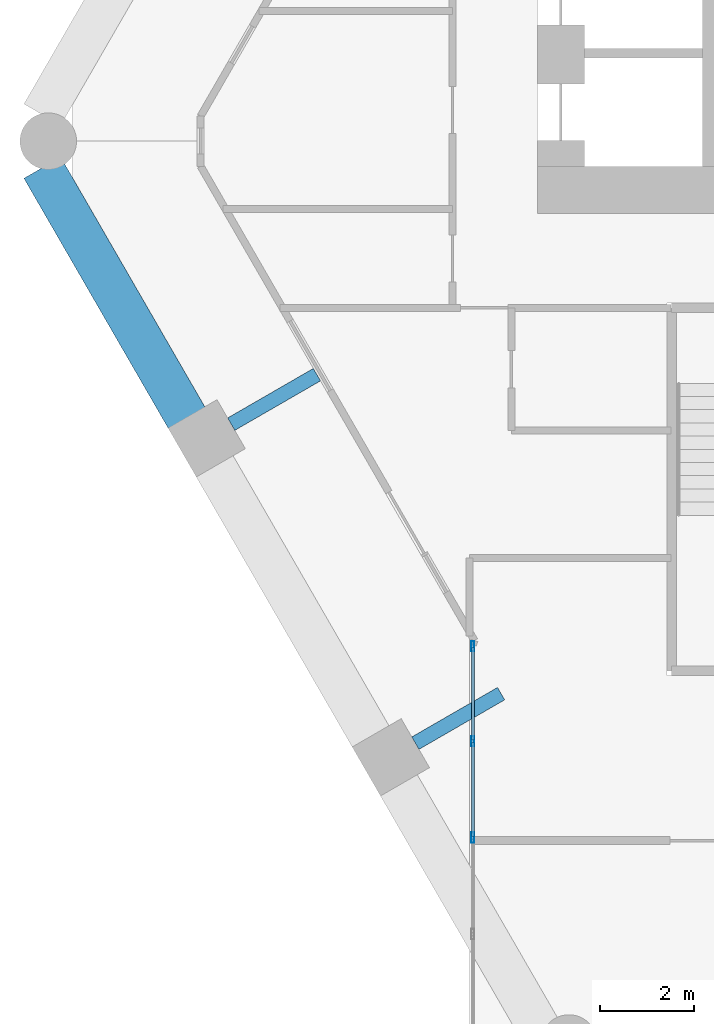
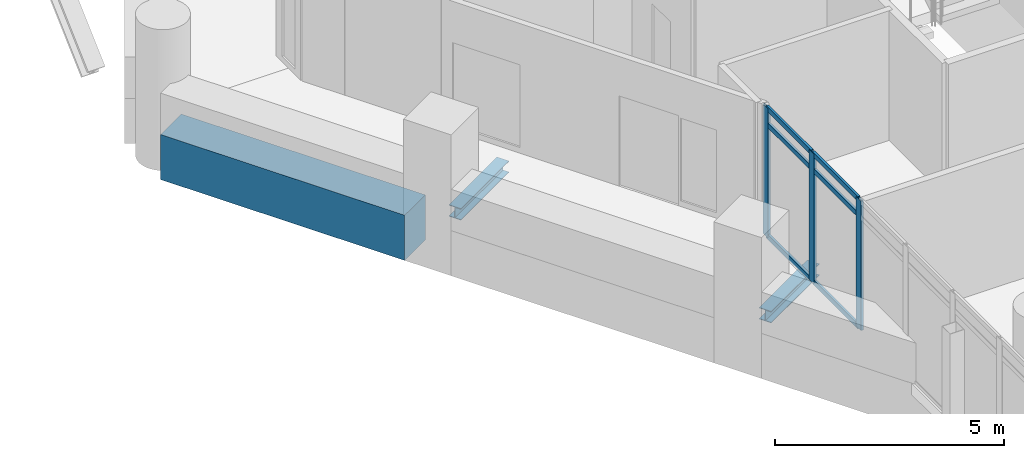
# One storey, part 11 of 37: 9 members, 3 beams, 1 element without a shape of its own.
"""IFC4 building model written with IfcOpenShell, lengths in metres."""

import ifcopenshell
import ifcopenshell.guid

model = None  # the IFC model being written
_history = None  # IfcOwnerHistory: only IFC2X3 demands one
_inside = {}  # id of a spatial element -> (the spatial element, [elements in it])
_under = {}  # id of a project, library or spatial element -> (it, [spatial elements below it])
_declared = {}  # id of a project -> (the project, [libraries it declares])
_typed = {}  # id of a type object -> (the type object, [elements of that type])
_made_of = {}  # id of a material, layer set ... -> (it, [elements and type objects made of it])


def new_model(schema):
    """Start an empty IFC model of exactly this schema.

    Asked for "IFC4X3", IfcOpenShell would pick the latest addendum, in which some entities
    have other attributes; the version numbers below select the first issue.
    IFC2X3 requires an IfcOwnerHistory on every rooted entity: one is made here for all.
    """
    global model, _history
    if schema == "IFC4X3":
        model = ifcopenshell.file(schema_version=(4, 3, 0, 0))
    else:
        model = ifcopenshell.file(schema=schema)
    _inside.clear()
    _under.clear()
    _declared.clear()
    _typed.clear()
    _made_of.clear()
    _history = None
    if model.schema == "IFC2X3":
        org = make("IfcOrganization", Name="unknown")
        user = make(
            "IfcPersonAndOrganization",
            ThePerson=make("IfcPerson", FamilyName="unknown"),
            TheOrganization=org,
        )
        app = make(
            "IfcApplication",
            ApplicationDeveloper=org,
            Version="unknown",
            ApplicationFullName="unknown",
            ApplicationIdentifier="unknown",
        )
        _history = make(
            "IfcOwnerHistory",
            OwningUser=user,
            OwningApplication=app,
            ChangeAction="ADDED",
            CreationDate=0,
        )
    return model


def make(cls, **values):
    """One entity of the class cls with the attributes given. An attribute that is None is left unset."""
    return model.create_entity(
        cls, **{name: value for name, value in values.items() if value is not None}
    )


def rooted(cls, **values):
    """An entity with a GlobalId (a new one), such as an element, a storey or a relation."""
    return make(cls, GlobalId=ifcopenshell.guid.new(), OwnerHistory=_history, **values)


def si_unit(unit_type, name, prefix=None):
    """IfcSIUnit, for example si_unit("LENGTHUNIT", "METRE", prefix="MILLI")."""
    return make("IfcSIUnit", UnitType=unit_type, Prefix=prefix, Name=name)


def assignment(units):
    """IfcUnitAssignment: the units of a project."""
    return None if units is None else make("IfcUnitAssignment", Units=units)


def point(xyz):
    """IfcCartesianPoint."""
    return None if xyz is None else make("IfcCartesianPoint", Coordinates=xyz)


def direction(xyz):
    """IfcDirection."""
    return None if xyz is None else make("IfcDirection", DirectionRatios=xyz)


def frame(location, z_axis=None, x_axis=None):
    """IfcAxis2Placement3D, a coordinate frame: its origin and axes. An axis left out is left unset."""
    return make(
        "IfcAxis2Placement3D",
        Location=point(location),
        Axis=direction(z_axis),
        RefDirection=direction(x_axis),
    )


def frame_2d(location, x_axis=None):
    """IfcAxis2Placement2D, a coordinate frame in the plane: its origin and x axis."""
    return make(
        "IfcAxis2Placement2D", Location=point(location), RefDirection=direction(x_axis)
    )


def origin():
    """The frame at (0, 0, 0) with its axes left unset."""
    return frame((0.0, 0.0, 0.0))


def origin_2d():
    """The frame at (0, 0) in the plane with its x axis left unset."""
    return frame_2d((0.0, 0.0))


def place(relative_to, where):
    """IfcLocalPlacement: puts the frame where relative to a parent placement (None: the world)."""
    return make(
        "IfcLocalPlacement", PlacementRelTo=relative_to, RelativePlacement=where
    )


def context(
    kind, dimensions, precision=None, world=None, true_north=None, identifier=None
):
    """IfcGeometricRepresentationContext, for example the 3D "Model" context."""
    return make(
        "IfcGeometricRepresentationContext",
        ContextIdentifier=identifier,
        ContextType=kind,
        CoordinateSpaceDimension=dimensions,
        Precision=precision,
        WorldCoordinateSystem=world,
        TrueNorth=true_north,
    )


def subcontext(parent, identifier, kind, view, scale=None):
    """IfcGeometricRepresentationSubContext, for example "Body" below "Model"."""
    return make(
        "IfcGeometricRepresentationSubContext",
        ContextIdentifier=identifier,
        ContextType=kind,
        ParentContext=parent,
        TargetScale=scale,
        TargetView=view,
    )


def project(units=None, contexts=None):
    """IfcProject with its units and contexts."""
    return rooted(
        "IfcProject",
        Name="project",
        RepresentationContexts=contexts,
        UnitsInContext=assignment(units),
    )


def spatial(cls, under=None, at=None, **own):
    """A site, building, storey or space (cls), placed at a placement, below another one or the project."""
    s = rooted(cls, ObjectPlacement=at, **own)
    if under is not None:
        _under.setdefault(under.id(), (under, []))[1].append(s)
    return s


def profile(cls, at=None, kind="AREA", **sizes):
    """A parametric profile (cls). Its sizes go by their IFC names, for example OverallWidth=200.0."""
    return make(cls, ProfileType=kind, Position=at, **sizes)


def rectangle(**sizes):
    """IfcRectangleProfileDef."""
    return profile("IfcRectangleProfileDef", **sizes)


def hollow_rectangle(**sizes):
    """IfcRectangleHollowProfileDef."""
    return profile("IfcRectangleHollowProfileDef", **sizes)


def i_section(**sizes):
    """IfcIShapeProfileDef."""
    return profile("IfcIShapeProfileDef", **sizes)


def extrude(swept, where, along, depth):
    """IfcExtrudedAreaSolid: the profile swept, set in the frame where, extruded along a direction by depth."""
    return make(
        "IfcExtrudedAreaSolid",
        SweptArea=swept,
        Position=where,
        ExtrudedDirection=direction(along),
        Depth=depth,
    )


def shape(context_of_items, identifier, shape_type, items):
    """IfcShapeRepresentation: the items that make up one representation, for example the "Body"."""
    return make(
        "IfcShapeRepresentation",
        ContextOfItems=context_of_items,
        RepresentationIdentifier=identifier,
        RepresentationType=shape_type,
        Items=items,
    )


def material(Name=None, Category=None):
    """IfcMaterial."""
    return make("IfcMaterial", Name=Name, Category=Category)


def material_profile(
    of_material, cross_section, Name=None, Category=None, Priority=None
):
    """IfcMaterialProfile: a cross section and its material."""
    return make(
        "IfcMaterialProfile",
        Name=Name,
        Material=of_material,
        Profile=cross_section,
        Priority=Priority,
        Category=Category,
    )


def profile_set(profiles, Name=None, composite=None):
    """IfcMaterialProfileSet."""
    return make(
        "IfcMaterialProfileSet",
        Name=Name,
        MaterialProfiles=profiles,
        CompositeProfile=composite,
    )


def made_of(thing, what):
    """Note that an element or type object is made of a material, layer set ...; save() writes the relation."""
    if what is not None:
        _made_of.setdefault(what.id(), (what, []))[1].append(thing)
    return thing


def type_object(cls, material=None, **own):
    """A type object (cls), such as IfcWallType, which elements share."""
    return made_of(rooted(cls, **own), material)


def element(
    cls,
    number,
    at=None,
    inside=None,
    cuts=None,
    type_object=None,
    material=None,
    context=None,
    identifier="Body",
    shape_type=None,
    held_by="IfcProductDefinitionShape",
    body=None,
    shapes=None,
    **own,
):
    """One element of the class cls, such as IfcWall. Its Tag is "e" and its number.

    at: its placement. inside: the storey or other place that contains it. cuts: it is an
    opening in that element (IfcRelVoidsElement). A single representation is given by context,
    identifier, shape_type and body (its items); several are given by shapes. held_by: the class
    of the entity that holds the representations. save() writes the other relations.
    """
    e = rooted(cls, Tag="e%d" % number, ObjectPlacement=at, **own)
    if body is not None:
        shapes = [shape(context, identifier, shape_type, body)]
    if shapes is not None:
        e.Representation = make(held_by, Representations=shapes)
    if inside is not None:
        _inside.setdefault(inside.id(), (inside, []))[1].append(e)
    if cuts is not None:
        rooted(
            "IfcRelVoidsElement", RelatingBuildingElement=cuts, RelatedOpeningElement=e
        )
    if type_object is not None:
        _typed.setdefault(type_object.id(), (type_object, []))[1].append(e)
    return made_of(e, material)


def aggregate(whole, parts):
    """IfcRelAggregates: a whole, such as a stair, and the parts it consists of."""
    return rooted("IfcRelAggregates", RelatingObject=whole, RelatedObjects=parts)


def save(model, path):
    """Write the relations noted so far, then the file.

    IfcRelAggregates (storeys below a building ...), IfcRelContainedInSpatialStructure (elements
    in a storey), IfcRelDefinesByType, IfcRelAssociatesMaterial and IfcRelDeclares: one each for
    every whole, place, type object, material and project.
    """
    for whole, parts in _under.values():
        aggregate(whole, parts)
    for where, things in _inside.values():
        rooted(
            "IfcRelContainedInSpatialStructure",
            RelatedElements=things,
            RelatingStructure=where,
        )
    for kind, things in _typed.values():
        rooted("IfcRelDefinesByType", RelatedObjects=things, RelatingType=kind)
    for what, things in _made_of.values():
        rooted("IfcRelAssociatesMaterial", RelatedObjects=things, RelatingMaterial=what)
    for by, libraries in _declared.values():
        rooted("IfcRelDeclares", RelatingContext=by, RelatedDefinitions=libraries)
    model.write(path)


model = new_model("IFC4")

# Units and contexts
model_context = context("Model", 3, precision=1e-05, world=origin(), true_north=direction((0.0, 1.0)))
body_context = subcontext(model_context, "Body", "Model", "MODEL_VIEW")
ifc_project = project(units=[si_unit("LENGTHUNIT", "METRE"), si_unit("AREAUNIT", "SQUARE_METRE"), si_unit("VOLUMEUNIT", "CUBIC_METRE"), si_unit("PLANEANGLEUNIT", "RADIAN"), si_unit("MASSUNIT", "GRAM", prefix="KILO")], contexts=[model_context])

# Site, building, storey
site_placement = place(None, origin())
site = spatial("IfcSite", under=ifc_project, at=site_placement, CompositionType="ELEMENT")
building_placement = place(site_placement, origin())
building = spatial("IfcBuilding", under=site, at=building_placement, Name="Ostrander Bayou Hotel Tower", CompositionType="ELEMENT")
storey_placement = place(building_placement, frame((0.0, 0.0, 93.0)))
storey = spatial("IfcBuildingStorey", under=building, at=storey_placement, Name="L23", CompositionType="ELEMENT", Elevation=93.0)

# Curtain wall, members
ifc_material_1 = material(Name="Aluminium and clear glass", Category="aluminium")
curtain_wall_type = type_object("IfcCurtainWallType", Name="CW-BAR glazed wall", PredefinedType="NOTDEFINED", material=ifc_material_1)
curtain_wall_placement = place(storey_placement, origin())
curtain_wall = element("IfcCurtainWall", 1, at=curtain_wall_placement, inside=storey, type_object=curtain_wall_type, Name="CW-BAR L23:SB2S:E", PredefinedType="NOTDEFINED")
ifc_material_2 = material(Name="Aluminium", Category="aluminium")
ifc_material_profile_1 = material_profile(ifc_material_2, hollow_rectangle(XDim=0.06005859375, YDim=0.219970703125, WallThickness=0.00390625, at=origin_2d()))
ifc_profile_set_1 = profile_set([ifc_material_profile_1], Name="Aluminium")
member_type_1 = type_object("IfcMemberType", Name="CW-BR mullion 60 x 220 mm", PredefinedType="MULLION", material=ifc_profile_set_1)
member_1_placement = place(storey_placement, frame((-13.3671875, -10.877197265625, 0.0), z_axis=(0.0, 0.0, 1.0), x_axis=(1.0, 0.0, 0.0)))
member_1 = element("IfcMember", 2, at=member_1_placement, type_object=member_type_1, Name="CW-BAR mullion 1", PredefinedType="MULLION", context=body_context, shape_type="SweptSolid", body=[
    extrude(hollow_rectangle(XDim=0.06005859375, YDim=0.219970703125, WallThickness=0.00390625, at=origin_2d()), origin(), (0.0, 0.0, 1.0), 3.449951171875),
])
member_2_placement = place(storey_placement, frame((-13.3671875, -12.892822265625, 0.0), z_axis=(0.0, 0.0, 1.0), x_axis=(1.0, 0.0, 0.0)))
member_2 = element("IfcMember", 3, at=member_2_placement, type_object=member_type_1, Name="CW-BAR mullion 2", PredefinedType="MULLION", context=body_context, shape_type="SweptSolid", body=[
    extrude(hollow_rectangle(XDim=0.06005859375, YDim=0.219970703125, WallThickness=0.00390625, at=origin_2d()), origin(), (0.0, 0.0, 1.0), 3.449951171875),
])
member_3_placement = place(storey_placement, frame((-13.3671875, -14.938232421875, 0.0), z_axis=(0.0, 0.0, 1.0), x_axis=(1.0, 0.0, 0.0)))
member_3 = element("IfcMember", 4, at=member_3_placement, type_object=member_type_1, Name="CW-BAR mullion 3", PredefinedType="MULLION", context=body_context, shape_type="SweptSolid", body=[
    extrude(hollow_rectangle(XDim=0.06005859375, YDim=0.219970703125, WallThickness=0.00390625, at=origin_2d()), origin(), (0.0, 0.0, 1.0), 3.449951171875),
])
ifc_material_3 = material(Name="Aluminium", Category="aluminium")
ifc_material_profile_2 = material_profile(ifc_material_3, hollow_rectangle(XDim=0.06005859375, YDim=0.1298828125, WallThickness=0.00390625, at=origin_2d()))
ifc_profile_set_2 = profile_set([ifc_material_profile_2], Name="Aluminium")
member_type_2 = type_object("IfcMemberType", Name="CW-BR transom 60 x 130 mm", PredefinedType="USERDEFINED", material=ifc_profile_set_2)
member_4_placement = place(storey_placement, frame((-13.3671875, -10.9072265625, 0.030029296875), z_axis=(0.0, -1.0, 0.0), x_axis=(1.0, 0.0, 0.0)))
member_4 = element("IfcMember", 5, at=member_4_placement, type_object=member_type_2, Name="CW-BAR transom 1.1", ObjectType="TRANSOM", PredefinedType="USERDEFINED", context=body_context, shape_type="SweptSolid", body=[
    extrude(hollow_rectangle(XDim=0.06005859375, YDim=0.1298828125, WallThickness=0.00390625, at=origin_2d()), origin(), (0.0, 0.0, 1.0), 1.95556640625),
])
member_5_placement = place(storey_placement, frame((-13.3671875, -10.9072265625, 3.0), z_axis=(0.0, -1.0, 0.0), x_axis=(1.0, 0.0, 0.0)))
member_5 = element("IfcMember", 6, at=member_5_placement, type_object=member_type_2, Name="CW-BAR transom 1.2", ObjectType="TRANSOM", PredefinedType="USERDEFINED", context=body_context, shape_type="SweptSolid", body=[
    extrude(hollow_rectangle(XDim=0.06005859375, YDim=0.1298828125, WallThickness=0.00390625, at=origin_2d()), origin(), (0.0, 0.0, 1.0), 1.95556640625),
])
member_6_placement = place(storey_placement, frame((-13.3671875, -10.9072265625, 3.419921875), z_axis=(0.0, -1.0, 0.0), x_axis=(1.0, 0.0, 0.0)))
member_6 = element("IfcMember", 7, at=member_6_placement, type_object=member_type_2, Name="CW-BAR transom 1.3", ObjectType="TRANSOM", PredefinedType="USERDEFINED", context=body_context, shape_type="SweptSolid", body=[
    extrude(hollow_rectangle(XDim=0.06005859375, YDim=0.1298828125, WallThickness=0.00390625, at=origin_2d()), origin(), (0.0, 0.0, 1.0), 1.95556640625),
])
member_7_placement = place(storey_placement, frame((-13.3671875, -12.9228515625, 0.030029296875), z_axis=(0.0, -1.0, 0.0), x_axis=(1.0, 0.0, 0.0)))
member_7 = element("IfcMember", 8, at=member_7_placement, type_object=member_type_2, Name="CW-BAR transom 2.1", ObjectType="TRANSOM", PredefinedType="USERDEFINED", context=body_context, shape_type="SweptSolid", body=[
    extrude(hollow_rectangle(XDim=0.06005859375, YDim=0.1298828125, WallThickness=0.00390625, at=origin_2d()), origin(), (0.0, 0.0, 1.0), 1.9853515625),
])
member_8_placement = place(storey_placement, frame((-13.3671875, -12.9228515625, 3.0), z_axis=(0.0, -1.0, 0.0), x_axis=(1.0, 0.0, 0.0)))
member_8 = element("IfcMember", 9, at=member_8_placement, type_object=member_type_2, Name="CW-BAR transom 2.2", ObjectType="TRANSOM", PredefinedType="USERDEFINED", context=body_context, shape_type="SweptSolid", body=[
    extrude(hollow_rectangle(XDim=0.06005859375, YDim=0.1298828125, WallThickness=0.00390625, at=origin_2d()), origin(), (0.0, 0.0, 1.0), 1.9853515625),
])
member_9_placement = place(storey_placement, frame((-13.3671875, -12.9228515625, 3.419921875), z_axis=(0.0, -1.0, 0.0), x_axis=(1.0, 0.0, 0.0)))
member_9 = element("IfcMember", 10, at=member_9_placement, type_object=member_type_2, Name="CW-BAR transom 2.3", ObjectType="TRANSOM", PredefinedType="USERDEFINED", context=body_context, shape_type="SweptSolid", body=[
    extrude(hollow_rectangle(XDim=0.06005859375, YDim=0.1298828125, WallThickness=0.00390625, at=origin_2d()), origin(), (0.0, 0.0, 1.0), 1.9853515625),
])
aggregate(curtain_wall, [member_1, member_2, member_3, member_4, member_5, member_6, member_7, member_8, member_9])

# Beams
ifc_material_4 = material(Name="Steel ASTM A992", Category="steel")
ifc_material_profile_3 = material_profile(ifc_material_4, i_section(OverallWidth=0.3046875, OverallDepth=0.307861328125, WebThickness=0.010009765625, FlangeThickness=0.015380859375, at=origin_2d()))
ifc_profile_set_3 = profile_set([ifc_material_profile_3], Name="Steel ASTM A992")
beam_type_1 = type_object("IfcBeamType", Name="LB1 loggia bracket W12x65", PredefinedType="BEAM", material=ifc_profile_set_3)
for number, where, z_axis, x_axis, name in (
    (11, (-18.494384765625, -6.166748046875, -0.453857421875), (0.866009402589, 0.500027713859, 0.0), (-0.500027713859, 0.866009402589, 0.0), "LB1 L23 SW1"),
    (12, (-14.587646484375, -12.933349609375, -0.453857421875), (0.866009402589, 0.500027713859, 0.0), (-0.500027713859, 0.866009402589, 0.0), "LB1 L23 SW2"),
):
    element("IfcBeam", number, at=place(storey_placement, frame(where, z_axis=z_axis, x_axis=x_axis)), inside=storey, type_object=beam_type_1, Name=name, PredefinedType="BEAM", context=body_context, shape_type="SweptSolid", body=[
        extrude(i_section(OverallWidth=0.3046875, OverallDepth=0.307861328125, WebThickness=0.010009765625, FlangeThickness=0.015380859375, at=origin_2d()), origin(), (0.0, 0.0, 1.0), 2.10009765625),
    ])
ifc_material_5 = material(Name="Concrete f'c 70 MPa", Category="concrete")
ifc_material_profile_4 = material_profile(ifc_material_5, rectangle(XDim=0.89990234375, YDim=1.199951171875, at=origin_2d()))
ifc_profile_set_4 = profile_set([ifc_material_profile_4], Name="Concrete f'c 70 MPa")
beam_type_2 = type_object("IfcBeamType", Name="SP2 spandrel beam 900 x 1200 mm f'c 70 MPa", PredefinedType="SPANDREL", material=ifc_profile_set_4)
beam_placement = place(storey_placement, frame((-22.5009765625, -0.727294921875, -0.60009765625), z_axis=(0.500006801911, -0.866021476663, 0.0), x_axis=(0.866021476663, 0.500006801911, 0.0)))
element("IfcBeam", 13, at=beam_placement, inside=storey, type_object=beam_type_2, Name="SP2 L23 SW-1", PredefinedType="SPANDREL", context=body_context, shape_type="SweptSolid", body=[
    extrude(rectangle(XDim=0.89990234375, YDim=1.199951171875, at=origin_2d()), origin(), (0.0, 0.0, 1.0), 6.14404296875),
])

save(model, "model.ifc")
